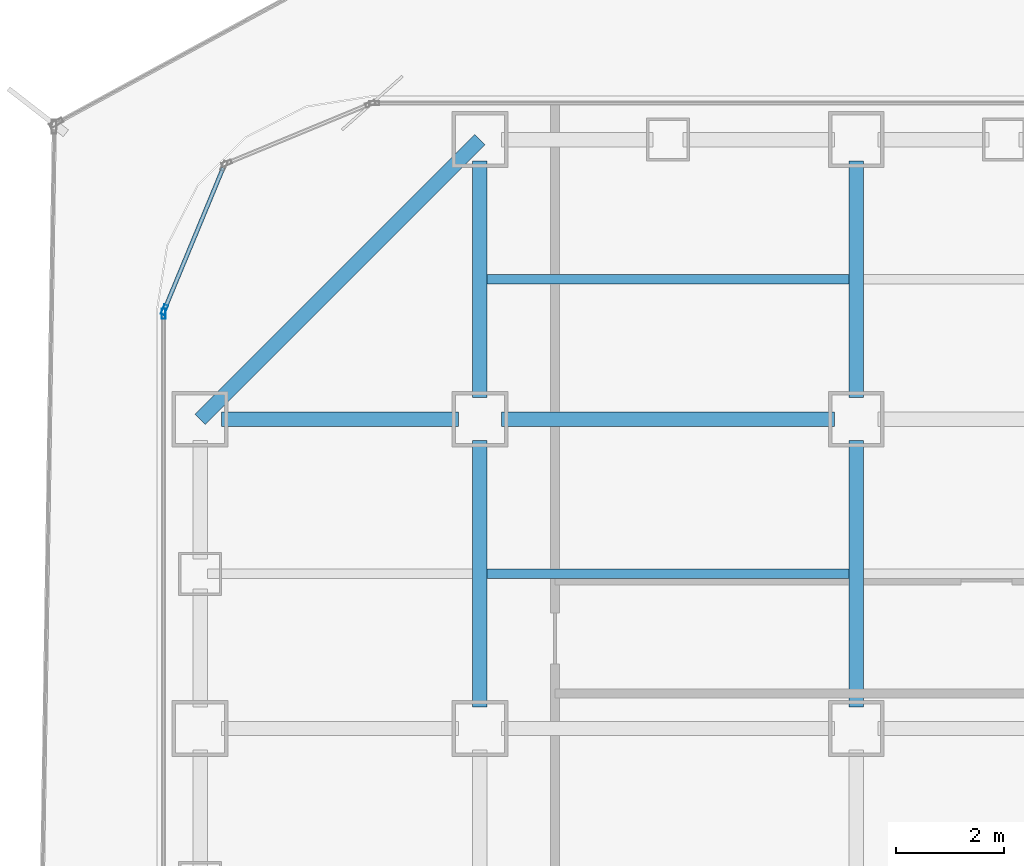
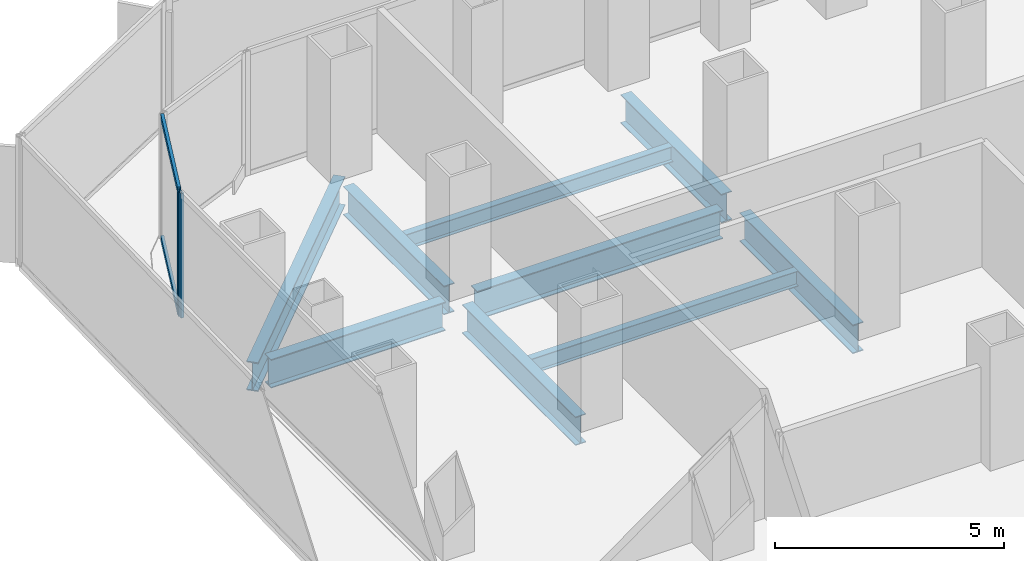
# One storey, part 10 of 21: 9 beams, 4 members, 2 elements without a shape of their own.
"""IFC4 building model written with IfcOpenShell, lengths in metres."""

from ifc_helpers import new_model, si_unit, direction, frame, origin, origin_2d, place, context, subcontext, project, spatial, hollow_rectangle, i_section, extrude, source, transform, mapped, material, layer, layer_set, material_profile, profile_set, type_object, element, aggregate, save


model = new_model("IFC4")

# Units and contexts
model_context = context("Model", 3, precision=1e-05, world=origin(), true_north=direction((0.0, 1.0)))
body_context = subcontext(model_context, "Body", "Model", "MODEL_VIEW")
ifc_project = project(units=[si_unit("LENGTHUNIT", "METRE"), si_unit("AREAUNIT", "SQUARE_METRE"), si_unit("VOLUMEUNIT", "CUBIC_METRE"), si_unit("PLANEANGLEUNIT", "RADIAN"), si_unit("MASSUNIT", "GRAM", prefix="KILO")], contexts=[model_context])

# Site, building, storey
site_placement = place(None, origin())
site = spatial("IfcSite", under=ifc_project, at=site_placement, CompositionType="ELEMENT")
building_placement = place(site_placement, origin())
building = spatial("IfcBuilding", under=site, at=building_placement, Name="Kolveth Station Tower", CompositionType="ELEMENT")
storey_placement = place(building_placement, frame((0.0, 0.0, 36.89990234375)))
storey = spatial("IfcBuildingStorey", under=building, at=storey_placement, Name="L09", CompositionType="ELEMENT", Elevation=36.89990234375)

# Beams
ifc_material_1 = material(Name="Steel S355", Category="steel")
ifc_material_profile_1 = material_profile(ifc_material_1, i_section(OverallWidth=0.26904296875, OverallDepth=0.77490234375, WebThickness=0.01708984375, FlangeThickness=0.0283203125, at=origin_2d()), Name="W760x220")
ifc_profile_set_1 = profile_set([ifc_material_profile_1], Name="Steel S355")
beam_type_1 = type_object("IfcBeamType", Name="Beam_SP1", PredefinedType="SPANDREL", material=ifc_profile_set_1)
shared_shape_1 = source(origin(), body_context, "Body", "SweptSolid", [
    extrude(i_section(OverallWidth=0.26904296875, OverallDepth=0.77490234375, WebThickness=0.01708984375, FlangeThickness=0.0283203125, at=origin_2d()), origin(), (0.0, 0.0, 1.0), 7.353759765625),
])
beam_1_placement = place(storey_placement, frame((6.0, 39.699951171875, -0.66748046875), z_axis=(-0.707106781187, -0.707106781187, 0.0), x_axis=(0.707106781187, -0.707106781187, 0.0)))
element("IfcBeam", 1, at=beam_1_placement, inside=storey, type_object=beam_type_1, Name="L09 Corner Edge Girder BM-L09-CNR-NW", PredefinedType="SPANDREL", context=body_context, shape_type="MappedRepresentation", body=[
    mapped(shared_shape_1, transform((0.0, 0.0, 0.0), x_axis=(1.0, 0.0, 0.0), y_axis=(0.0, 1.0, 0.0), z_axis=(0.0, 0.0, 1.0), scale=1.0)),
])
ifc_material_profile_2 = material_profile(ifc_material_1, i_section(OverallWidth=0.26708984375, OverallDepth=0.76611328125, WebThickness=0.014892578125, FlangeThickness=0.023681640625, at=origin_2d()), Name="W760x185")
ifc_profile_set_2 = profile_set([ifc_material_profile_2], Name="Steel S355")
beam_type_2 = type_object("IfcBeamType", Name="Beam_B3", PredefinedType="BEAM", material=ifc_profile_set_2)
shared_shape_2 = source(origin(), body_context, "Body", "SweptSolid", [
    extrude(i_section(OverallWidth=0.26708984375, OverallDepth=0.76611328125, WebThickness=0.014892578125, FlangeThickness=0.023681640625, at=origin_2d()), origin(), (0.0, 0.0, 1.0), 4.400146484375),
])
for number, where, z_axis, x_axis, name in (
    (2, (1.199951171875, 34.5, -0.662841796875), (1.0, 0.0, 0.0), (0.0, 1.0, 0.0), "L09 Primary Girder BM-L09-GY345-1"),
    (3, (6.0, 34.89990234375, -0.662841796875), (0.0, 1.0, 0.0), (-1.0, 0.0, 0.0), "L09 Primary Girder BM-L09-GX60-7"),
    (4, (13.0, 34.89990234375, -0.662841796875), (0.0, 1.0, 0.0), (-1.0, 0.0, 0.0), "L09 Primary Girder BM-L09-GX130-7"),
):
    element("IfcBeam", number, at=place(storey_placement, frame(where, z_axis=z_axis, x_axis=x_axis)), inside=storey, type_object=beam_type_2, Name=name, PredefinedType="BEAM", context=body_context, shape_type="MappedRepresentation", body=[
        mapped(shared_shape_2, transform((0.0, 0.0, 0.0), x_axis=(1.0, 0.0, 0.0), y_axis=(0.0, 1.0, 0.0), z_axis=(0.0, 0.0, 1.0), scale=1.0)),
    ])
shared_shape_3 = source(origin(), body_context, "Body", "SweptSolid", [
    extrude(i_section(OverallWidth=0.26708984375, OverallDepth=0.76611328125, WebThickness=0.014892578125, FlangeThickness=0.023681640625, at=origin_2d()), origin(), (0.0, 0.0, 1.0), 6.2001953125),
])
beam_2_placement = place(storey_placement, frame((6.39990234375, 34.5, -0.662841796875), z_axis=(1.0, 0.0, 0.0), x_axis=(0.0, 1.0, 0.0)))
element("IfcBeam", 5, at=beam_2_placement, inside=storey, type_object=beam_type_2, Name="L09 Primary Girder BM-L09-GY345-2", PredefinedType="BEAM", context=body_context, shape_type="MappedRepresentation", body=[
    mapped(shared_shape_3, transform((0.0, 0.0, 0.0), x_axis=(1.0, 0.0, 0.0), y_axis=(0.0, 1.0, 0.0), z_axis=(0.0, 0.0, 1.0), scale=1.0)),
])
shared_shape_4 = source(origin(), body_context, "Body", "SweptSolid", [
    extrude(i_section(OverallWidth=0.26708984375, OverallDepth=0.76611328125, WebThickness=0.014892578125, FlangeThickness=0.023681640625, at=origin_2d()), origin(), (0.0, 0.0, 1.0), 4.9501953125),
])
for number, where, z_axis, x_axis, name in (
    (6, (6.0, 29.14990234375, -0.662841796875), (0.0, 1.0, 0.0), (-1.0, 0.0, 0.0), "L09 Primary Girder BM-L09-GX60-6"),
    (7, (13.0, 29.14990234375, -0.662841796875), (0.0, 1.0, 0.0), (-1.0, 0.0, 0.0), "L09 Primary Girder BM-L09-GX130-6"),
):
    element("IfcBeam", number, at=place(storey_placement, frame(where, z_axis=z_axis, x_axis=x_axis)), inside=storey, type_object=beam_type_2, Name=name, PredefinedType="BEAM", context=body_context, shape_type="MappedRepresentation", body=[
        mapped(shared_shape_4, transform((0.0, 0.0, 0.0), x_axis=(1.0, 0.0, 0.0), y_axis=(0.0, 1.0, 0.0), z_axis=(0.0, 0.0, 1.0), scale=1.0)),
    ])
ifc_material_profile_3 = material_profile(ifc_material_1, i_section(OverallWidth=0.177978515625, OverallDepth=0.406982421875, WebThickness=0.0078125, FlangeThickness=0.0126953125, at=origin_2d()), Name="W410x60")
ifc_profile_set_3 = profile_set([ifc_material_profile_3], Name="Steel S355")
beam_type_3 = type_object("IfcBeamType", Name="Beam_J1", PredefinedType="JOIST", material=ifc_profile_set_3)
shared_shape_5 = source(origin(), body_context, "Body", "SweptSolid", [
    extrude(i_section(OverallWidth=0.177978515625, OverallDepth=0.406982421875, WebThickness=0.0078125, FlangeThickness=0.0126953125, at=origin_2d()), origin(), (0.0, 0.0, 1.0), 6.73681640625),
])
for number, where, z_axis, x_axis, name in (
    (8, (6.131591796875, 31.625, -0.4833984375), (1.0, 0.0, 0.0), (0.0, 1.0, 0.0), "L09 Secondary Joist JST-L09-2-6"),
    (9, (6.131591796875, 37.10009765625, -0.4833984375), (1.0, 0.0, 0.0), (0.0, 1.0, 0.0), "L09 Secondary Joist JST-L09-2-7"),
):
    element("IfcBeam", number, at=place(storey_placement, frame(where, z_axis=z_axis, x_axis=x_axis)), inside=storey, type_object=beam_type_3, Name=name, PredefinedType="JOIST", context=body_context, shape_type="MappedRepresentation", body=[
        mapped(shared_shape_5, transform((0.0, 0.0, 0.0), x_axis=(1.0, 0.0, 0.0), y_axis=(0.0, 1.0, 0.0), z_axis=(0.0, 0.0, 1.0), scale=1.0)),
    ])

# Curtain wall, member
ifc_material_2 = material(Name="Aluminium 6063-T6 and low-E dark glass", Category="aluminium")
ifc_layer = layer(ifc_material_2, 0.179931640625)
ifc_layer_set = layer_set([ifc_layer], Name="Aluminium 6063-T6 and low-E dark glass")
curtain_wall_type = type_object("IfcCurtainWallType", Name="CurtainWall_CW-Z1", PredefinedType="NOTDEFINED", material=ifc_layer_set)
curtain_wall_1_placement = place(storey_placement, origin())
curtain_wall_1 = element("IfcCurtainWall", 10, at=curtain_wall_1_placement, inside=storey, type_object=curtain_wall_type, Name="L09 Inner Thermal Curtain Wall 8", PredefinedType="NOTDEFINED")
ifc_material_3 = material(Name="Black anodized aluminium 6063-T6", Category="aluminium")
ifc_material_profile_4 = material_profile(ifc_material_3, hollow_rectangle(XDim=0.074951171875, YDim=0.18994140625, WallThickness=0.0048828125, at=origin_2d()), Name="ALU-75x190x5")
ifc_profile_set_4 = profile_set([ifc_material_profile_4], Name="Black anodized aluminium 6063-T6")
member_type_1 = type_object("IfcMemberType", Name="Mullion_ML1", PredefinedType="MULLION", material=ifc_profile_set_4)
shared_shape_6 = source(origin(), body_context, "Body", "SweptSolid", [
    extrude(hollow_rectangle(XDim=0.074951171875, YDim=0.18994140625, WallThickness=0.0048828125, at=origin_2d()), origin(), (0.0, 0.0, 1.0), 3.320068359375),
])
member_1_placement = place(storey_placement, frame((0.13427734375, 36.53466796875, 0.0), z_axis=(0.0, 0.0, 1.0), x_axis=(0.923883857728, -0.382672990201, 0.0)))
member_1 = element("IfcMember", 11, at=member_1_placement, type_object=member_type_1, Name="CW-Z1 mullion 2", PredefinedType="MULLION", context=body_context, shape_type="MappedRepresentation", body=[
    mapped(shared_shape_6, transform((0.0, 0.0, 0.0), x_axis=(1.0, 0.0, 0.0), y_axis=(0.0, 1.0, 0.0), z_axis=(0.0, 0.0, 1.0), scale=1.0)),
])

curtain_wall_2_placement = place(storey_placement, origin())
curtain_wall_2 = element("IfcCurtainWall", 12, at=curtain_wall_2_placement, inside=storey, type_object=curtain_wall_type, Name="L09 Inner Thermal Curtain Wall 9", PredefinedType="NOTDEFINED")
member_2_placement = place(storey_placement, frame((0.1201171875, 36.46240234375, 0.0), z_axis=(0.0, 0.0, 1.0), x_axis=(1.0, 0.0, 0.0)))
member_2 = element("IfcMember", 13, at=member_2_placement, type_object=member_type_1, Name="CW-Z1 mullion 1", PredefinedType="MULLION", context=body_context, shape_type="MappedRepresentation", body=[
    mapped(shared_shape_6, transform((0.0, 0.0, 0.0), x_axis=(1.0, 0.0, 0.0), y_axis=(0.0, 1.0, 0.0), z_axis=(0.0, 0.0, 1.0), scale=1.0)),
])
aggregate(curtain_wall_2, [member_2])

# Member
ifc_material_profile_5 = material_profile(ifc_material_3, hollow_rectangle(XDim=0.074951171875, YDim=0.159912109375, WallThickness=0.0048828125, at=origin_2d()), Name="ALU-75x160x5")
ifc_profile_set_5 = profile_set([ifc_material_profile_5], Name="Black anodized aluminium 6063-T6")
member_type_2 = type_object("IfcMemberType", Name="Transom_TR1", PredefinedType="USERDEFINED", material=ifc_profile_set_5)
shared_shape_7 = source(origin(), body_context, "Body", "SweptSolid", [
    extrude(hollow_rectangle(XDim=0.074951171875, YDim=0.159912109375, WallThickness=0.0048828125, at=origin_2d()), origin(), (0.0, 0.0, 1.0), 2.819580078125),
])
member_3_placement = place(storey_placement, frame((1.227783203125, 39.17431640625, 0.03759765625), z_axis=(-0.382708655389, -0.923869084389, 0.0), x_axis=(0.923869084389, -0.382708655389, 0.0)))
member_3 = element("IfcMember", 14, at=member_3_placement, type_object=member_type_2, Name="CW-Z1 transom 1.1", ObjectType="TRANSOM", PredefinedType="USERDEFINED", context=body_context, shape_type="MappedRepresentation", body=[
    mapped(shared_shape_7, transform((0.0, 0.0, 0.0), x_axis=(1.0, 0.0, 0.0), y_axis=(0.0, 1.0, 0.0), z_axis=(0.0, 0.0, 1.0), scale=1.0)),
])

member_4_placement = place(storey_placement, frame((1.227783203125, 39.17431640625, 3.28271484375), z_axis=(-0.382708655389, -0.923869084389, 0.0), x_axis=(0.923869084389, -0.382708655389, 0.0)))
member_4 = element("IfcMember", 15, at=member_4_placement, type_object=member_type_2, Name="CW-Z1 transom 1.2", ObjectType="TRANSOM", PredefinedType="USERDEFINED", context=body_context, shape_type="MappedRepresentation", body=[
    mapped(shared_shape_7, transform((0.0, 0.0, 0.0), x_axis=(1.0, 0.0, 0.0), y_axis=(0.0, 1.0, 0.0), z_axis=(0.0, 0.0, 1.0), scale=1.0)),
])

aggregate(curtain_wall_1, [member_1, member_3, member_4])

save(model, "model.ifc")
